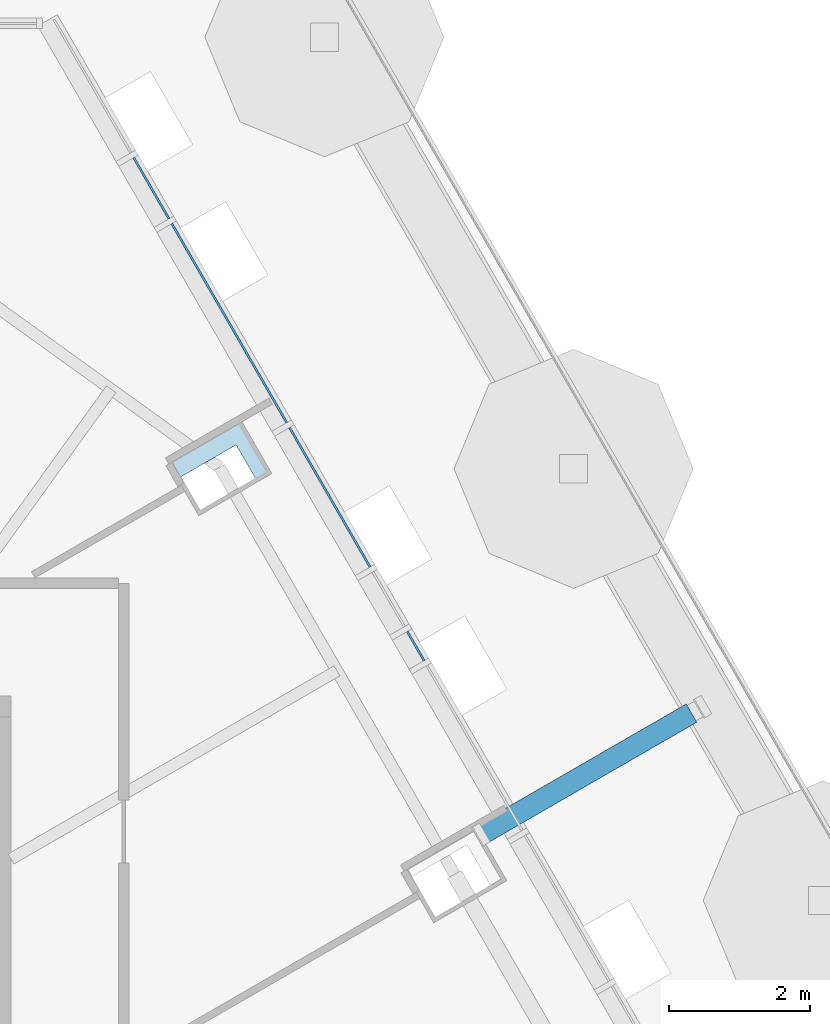
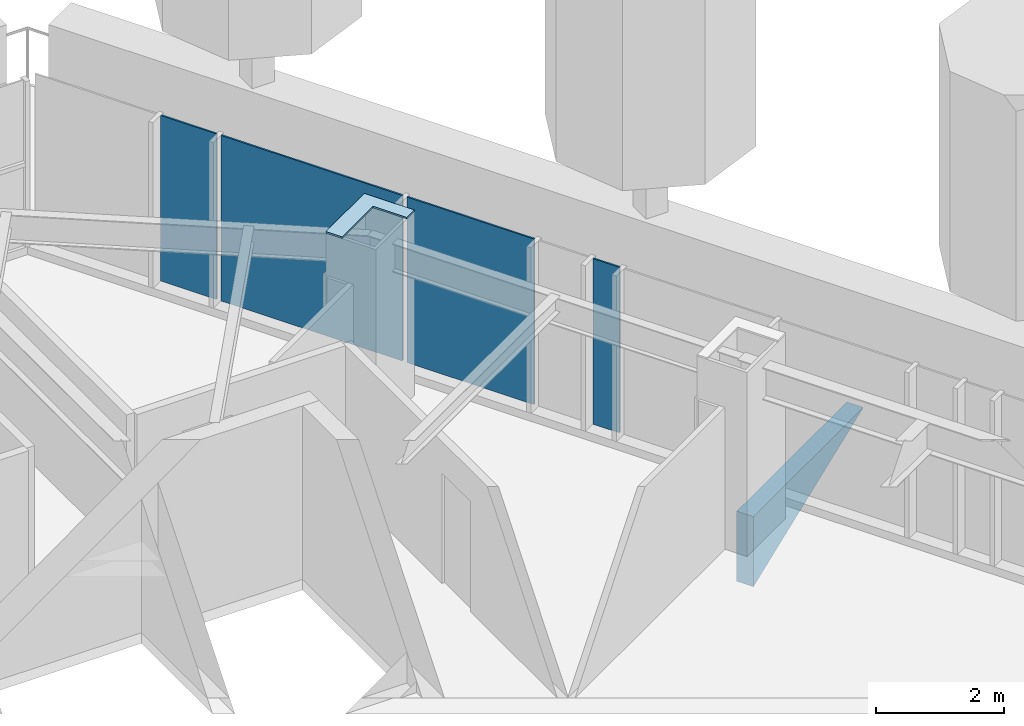
# One storey, part 16 of 24: 6 plates, 1 element without a shape of its own.
"""IFC4 building model written with IfcOpenShell, lengths in metres."""

from ifc_helpers import new_model, si_unit, direction, frame, origin, place, context, subcontext, project, spatial, polyline, outline, extrude, material, layer, layer_set, type_object, element, aggregate, save


model = new_model("IFC4")

# Units and contexts
model_context = context("Model", 3, precision=1e-05, world=origin(), true_north=direction((0.0, 1.0)))
body_context = subcontext(model_context, "Body", "Model", "MODEL_VIEW")
ifc_project = project(units=[si_unit("LENGTHUNIT", "METRE"), si_unit("AREAUNIT", "SQUARE_METRE"), si_unit("VOLUMEUNIT", "CUBIC_METRE"), si_unit("PLANEANGLEUNIT", "RADIAN"), si_unit("MASSUNIT", "GRAM", prefix="KILO")], contexts=[model_context])

# Site, building, storey
site_placement = place(None, origin())
site = spatial("IfcSite", under=ifc_project, at=site_placement, CompositionType="ELEMENT")
building_placement = place(site_placement, origin())
building = spatial("IfcBuilding", under=site, at=building_placement, Name="Firuza Gate Tower and Library", CompositionType="ELEMENT")
storey_placement = place(building_placement, frame((0.0, 0.0, 267.10009765625)))
storey = spatial("IfcBuildingStorey", under=building, at=storey_placement, Name="L63", CompositionType="ELEMENT", Elevation=267.10009765625)

# Plate
ifc_material_1 = material(Name="Steel S355", Category="steel")
ifc_layer_1 = layer(ifc_material_1, 0.030029296875)
ifc_layer_set_1 = layer_set([ifc_layer_1], Name="Column infill plate 30 Steel S355")
plate_type_1 = type_object("IfcPlateType", Name="Column infill plate 30 Steel S355", PredefinedType="SHEET", material=ifc_layer_set_1)
plate_1_placement = place(storey_placement, frame((0.0, 0.0, 3.5)))
element("IfcPlate", 1, at=plate_1_placement, inside=storey, type_object=plate_type_1, Name="Infill plate L63:E6", PredefinedType="SHEET", context=body_context, shape_type="SweptSolid", body=[
    extrude(outline(polyline([(80.417236328125, 97.9384765625), (80.56396484375, 97.6845703125), (81.39794921875, 98.166015625), (81.701171875, 97.640625), (81.906494140625, 97.759033203125), (81.45654296875, 98.53857421875), (80.417236328125, 97.9384765625)])), origin(), (0.0, 0.0, 1.0), 0.02978515625),
])

# Curtain wall, plates
ifc_material_2 = material(Name="Aluminium 6063-T6", Category="aluminium")
ifc_layer_2 = layer(ifc_material_2, 0.14990234375)
ifc_layer_set_2 = layer_set([ifc_layer_2], Name="Unitised curtain wall, residences")
curtain_wall_type = type_object("IfcCurtainWallType", Name="Unitised curtain wall, residences", PredefinedType="NOTDEFINED", material=ifc_layer_set_2)
curtain_wall_placement = place(storey_placement, origin())
curtain_wall = element("IfcCurtainWall", 2, at=curtain_wall_placement, inside=storey, type_object=curtain_wall_type, Name="CW3 L63 E face", PredefinedType="NOTDEFINED")
ifc_material_3 = material(Name="Fritted glass", Category="glass")
ifc_layer_3 = layer(ifc_material_3, 0.030029296875)
ifc_layer_set_3 = layer_set([ifc_layer_3], Name="Fritted glass unit, residences")
plate_type_2 = type_object("IfcPlateType", Name="Fritted glass unit, residences", PredefinedType="CURTAIN_PANEL", material=ifc_layer_set_3)
plate_2_placement = place(storey_placement, frame((84.083984375, 95.107421875, 0.14990234375), z_axis=(0.866100656052, 0.499869636591, 0.0), x_axis=(-0.499869636591, 0.866100656052, 0.0)))
plate_2 = element("IfcPlate", 3, at=plate_2_placement, type_object=plate_type_2, Name="Glass unit", PredefinedType="CURTAIN_PANEL", context=body_context, shape_type="SweptSolid", body=[
    extrude(outline(polyline([(0.0, 0.0), (0.4786404193935887, 0.0), (0.4786404193935887, 3.14990234375), (0.0, 3.14990234375), (0.0, 0.0)])), origin(), (0.0, 0.0, -1.0), 0.030029296875),
])
plate_3_placement = place(storey_placement, frame((80.457275390625, 101.38916015625, 0.14990234375), z_axis=(0.866064057238, 0.499933044277, 0.0), x_axis=(-0.499933044277, 0.866064057238, 0.0)))
plate_3 = element("IfcPlate", 4, at=plate_3_placement, type_object=plate_type_2, Name="Glass unit", PredefinedType="CURTAIN_PANEL", context=body_context, shape_type="SweptSolid", body=[
    extrude(outline(polyline([(0.0, 0.0), (1.0035523558977801, 0.0), (1.0035523558977801, 3.14990234375), (0.0, 3.14990234375), (0.0, 0.0)])), origin(), (0.0, 0.0, -1.0), 0.030029296875),
])
ifc_material_4 = material(Name="Glazed ceramic tile")
ifc_layer_4 = layer(ifc_material_4, 0.030029296875)
ifc_layer_set_4 = layer_set([ifc_layer_4], Name="Opaque ceramic panel, residences")
plate_type_3 = type_object("IfcPlateType", Name="Opaque ceramic panel, residences", PredefinedType="CURTAIN_PANEL", material=ifc_layer_set_4)
plate_4_placement = place(storey_placement, frame((83.315673828125, 96.4384765625, 0.14990234375), z_axis=(0.866029291668, 0.499993265928, 0.0), x_axis=(-0.499993265928, 0.866029291668, 0.0)))
plate_4 = element("IfcPlate", 5, at=plate_4_placement, type_object=plate_type_3, Name="Opaque ceramic panel", PredefinedType="CURTAIN_PANEL", context=body_context, shape_type="SweptSolid", body=[
    extrude(outline(polyline([(0.0, 0.0), (2.2890933298371823, 0.0), (2.2890933298371823, 3.14990234375), (0.0, 3.14990234375), (0.0, 0.0)])), origin(), (0.0, 0.0, -1.0), 0.030029296875),
])
plate_5_placement = place(storey_placement, frame((82.131103515625, 98.490234375, 0.14990234375), z_axis=(0.866027570447, 0.499996247212, 0.0), x_axis=(-0.499996247212, 0.866027570447, 0.0)))
plate_5 = element("IfcPlate", 6, at=plate_5_placement, type_object=plate_type_3, Name="Opaque ceramic panel", PredefinedType="CURTAIN_PANEL", context=body_context, shape_type="SweptSolid", body=[
    extrude(outline(polyline([(0.0, 0.0), (3.2676026502419653, 0.0), (3.2676026502419653, 3.14990234375), (0.0, 3.14990234375), (0.0, 0.0)])), origin(), (0.0, 0.0, -1.0), 0.030029296875),
])
aggregate(curtain_wall, [plate_2, plate_4, plate_5, plate_3])

# Plate
ifc_material_5 = material(Name="Steel S355", Category="steel")
ifc_layer_5 = layer(ifc_material_5, 0.300048828125)
ifc_layer_set_5 = layer_set([ifc_layer_5], Name="Tray bracket web 300 Steel S355")
plate_type_4 = type_object("IfcPlateType", Name="Tray bracket web 300 Steel S355", PredefinedType="SHEET", material=ifc_layer_set_5)
plate_6_placement = place(storey_placement, frame((84.827880859375, 92.76904296875, -0.2001953125), z_axis=(-0.49999768429, 0.866026740756, 0.0), x_axis=(0.866026740756, 0.49999768429, 0.0)))
element("IfcPlate", 7, at=plate_6_placement, inside=storey, type_object=plate_type_4, Name="Tray bracket web L63 col:L62:E5", PredefinedType="SHEET", context=body_context, shape_type="SweptSolid", body=[
    extrude(outline(polyline([(0.0, 0.0), (3.4297033843973885, 0.0), (0.0, 1.333984375), (0.0, 0.0)])), origin(), (0.0, 0.0, -1.0), 0.300048828125),
])

save(model, "model.ifc")
